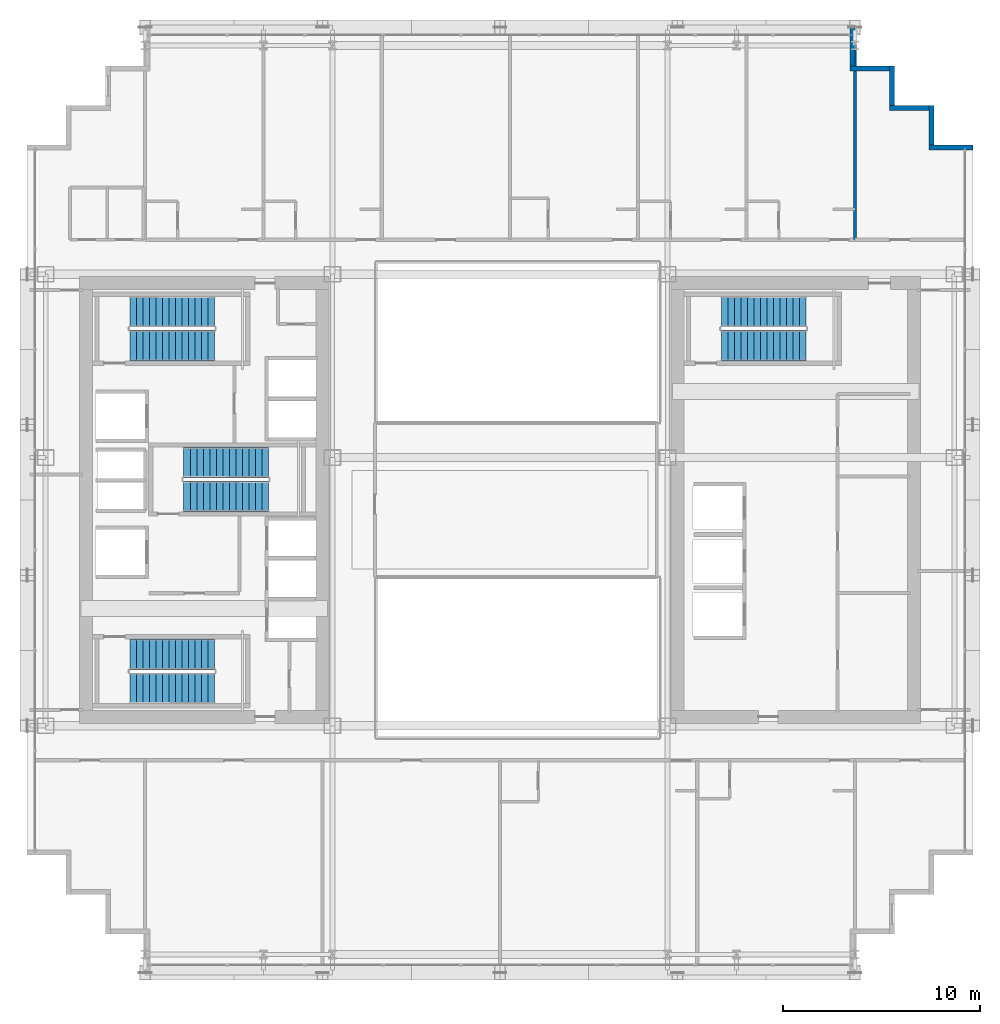
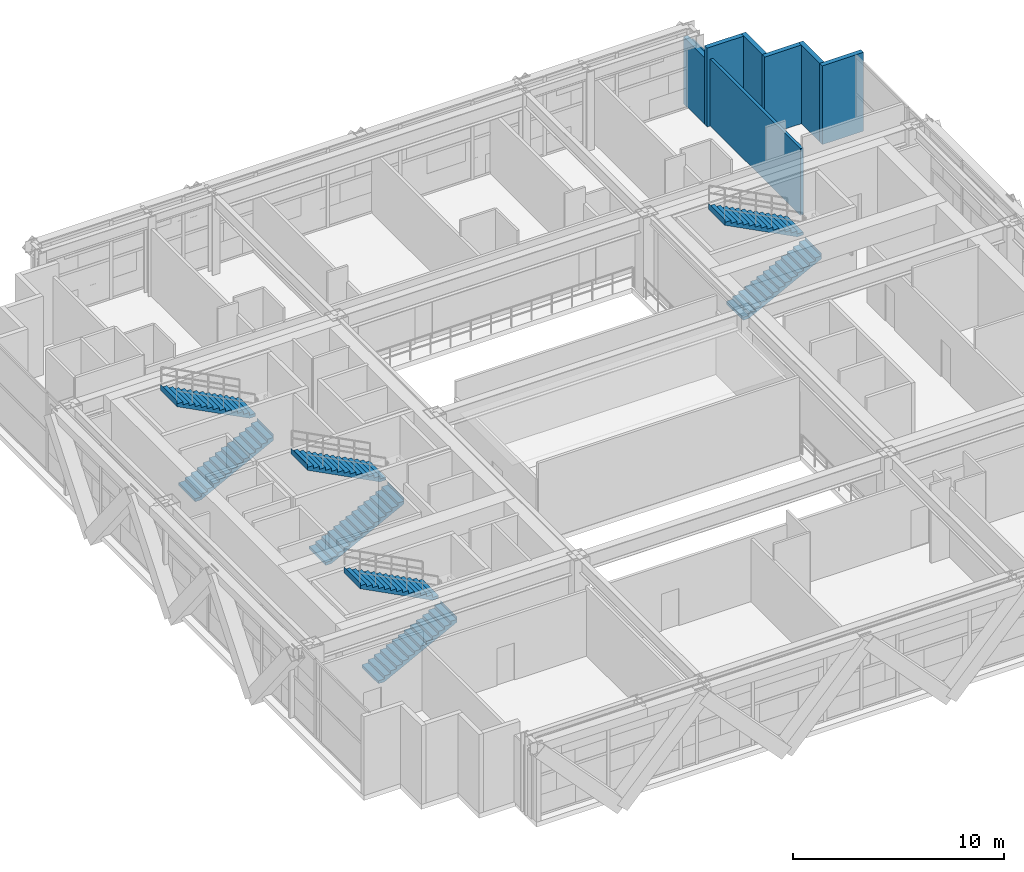
# One storey, part 34 of 38: 8 stair flights, 7 walls, 4 elements without a shape of their own.
"""IFC4 building model written with IfcOpenShell, lengths in metres."""

from ifc_helpers import new_model, si_unit, direction, frame, frame_2d, origin, place, context, subcontext, project, spatial, polyline, rectangle, outline, extrude, source, transform, mapped, material, layer, layer_set, type_object, element, aggregate, save


model = new_model("IFC4")

# Units and contexts
model_context = context("Model", 3, precision=1e-05, world=origin(), true_north=direction((0.0, 1.0)))
body_context = subcontext(model_context, "Body", "Model", "MODEL_VIEW")
ifc_project = project(units=[si_unit("LENGTHUNIT", "METRE"), si_unit("AREAUNIT", "SQUARE_METRE"), si_unit("VOLUMEUNIT", "CUBIC_METRE"), si_unit("PLANEANGLEUNIT", "RADIAN"), si_unit("MASSUNIT", "GRAM", prefix="KILO")], contexts=[model_context])

# Site, building, storey
site_placement = place(None, origin())
site = spatial("IfcSite", under=ifc_project, at=site_placement, CompositionType="ELEMENT")
building_placement = place(site_placement, origin())
building = spatial("IfcBuilding", under=site, at=building_placement, Name="Ocotamira Hotel", CompositionType="ELEMENT")
storey_placement = place(building_placement, frame((0.0, 0.0, 92.39990234375)))
storey = spatial("IfcBuildingStorey", under=building, at=storey_placement, Name="L22", CompositionType="ELEMENT", Elevation=92.39990234375)

# Walls
ifc_material_1 = material(Name="Precast concrete C45/55", Category="concrete")
ifc_layer_1 = layer(ifc_material_1, 0.25)
ifc_layer_set_1 = layer_set([ifc_layer_1], Name="Precast concrete C45/55")
wall_type_1 = type_object("IfcWallType", Name="WL-EXT-SER-250", PredefinedType="SOLIDWALL", material=ifc_layer_set_1)
wall_1_placement = place(storey_placement, frame((56.0, 43.875, 0.0), z_axis=(0.0, 0.0, 1.0), x_axis=(-1.0, 0.0, 0.0)))
element("IfcWall", 1, at=wall_1_placement, inside=storey, type_object=wall_type_1, Name="L22 Serrated Corner Wall 07", PredefinedType="SOLIDWALL", context=body_context, shape_type="SweptSolid", body=[
    extrude(rectangle(XDim=2.25, YDim=0.25, at=frame_2d((1.125, 0.0))), origin(), (0.0, 0.0, 1.0), 4.56005859375),
])
for number, where, z_axis, x_axis, name in (
    (2, (53.875, 44.0, 0.0), (0.0, 0.0, 1.0), (0.0, 1.0, 0.0), "L22 Serrated Corner Wall 08"),
    (3, (53.75, 45.875, 0.0), (0.0, 0.0, 1.0), (-1.0, 0.0, 0.0), "L22 Serrated Corner Wall 09"),
    (4, (51.875, 46.0, 0.0), (0.0, 0.0, 1.0), (0.0, 1.0, 0.0), "L22 Serrated Corner Wall 10"),
    (5, (51.75, 47.875, 0.0), (0.0, 0.0, 1.0), (-1.0, 0.0, 0.0), "L22 Serrated Corner Wall 11"),
):
    element("IfcWall", number, at=place(storey_placement, frame(where, z_axis=z_axis, x_axis=x_axis)), inside=storey, type_object=wall_type_1, Name=name, PredefinedType="SOLIDWALL", context=body_context, shape_type="SweptSolid", body=[
        extrude(rectangle(XDim=2.0, YDim=0.25, at=frame_2d((1.0, 0.0))), origin(), (0.0, 0.0, 1.0), 4.56005859375),
    ])
wall_2_placement = place(storey_placement, frame((49.875, 48.0, 0.0), z_axis=(0.0, 0.0, 1.0), x_axis=(0.0, 1.0, 0.0)))
element("IfcWall", 6, at=wall_2_placement, inside=storey, type_object=wall_type_1, Name="L22 Serrated Corner Wall 12", PredefinedType="SOLIDWALL", context=body_context, shape_type="SweptSolid", body=[
    extrude(rectangle(XDim=2.0, YDim=0.25, at=frame_2d((1.0, 0.0))), origin(), (0.0, 0.0, 1.0), 3.8671875),
])
ifc_material_2 = material(Name="Acoustic double-stud hospitality gypsum partition", Category="gypsum")
ifc_layer_2 = layer(ifc_material_2, 0.159912109375)
ifc_layer_set_2 = layer_set([ifc_layer_2], Name="Acoustic double-stud hospitality gypsum partition")
wall_type_2 = type_object("IfcWallType", Name="WL-PART-160", PredefinedType="PARTITIONING", material=ifc_layer_set_2)
wall_3_placement = place(storey_placement, frame((50.0, 39.199951171875, 0.0), z_axis=(0.0, 0.0, 1.0), x_axis=(0.0, 1.0, 0.0)))
element("IfcWall", 7, at=wall_3_placement, inside=storey, type_object=wall_type_2, Name="L22 Interior Wall PW-L22-L22N-PWEND", PredefinedType="PARTITIONING", context=body_context, shape_type="SweptSolid", body=[
    extrude(rectangle(XDim=10.43994140625, YDim=0.159912109375, at=frame_2d((5.219970703125, 0.0))), origin(), (0.0, 0.0, 1.0), 3.8671875),
])

# Stair, stair flights
ifc_material_3 = material(Name="Concrete C40/50", Category="concrete")
stair_type = type_object("IfcStairType", Name="ST-CORE-1560", PredefinedType="HALF_TURN_STAIR", material=ifc_material_3)
stair_1_placement = place(storey_placement, origin())
stair_1 = element("IfcStair", 8, at=stair_1_placement, inside=storey, type_object=stair_type, Name="L22 Exit Stair ST-1", PredefinedType="HALF_TURN_STAIR")
stair_flight_type = type_object("IfcStairFlightType", Name="STF-CORE-1560", PredefinedType="STRAIGHT", material=ifc_material_3)
shared_shape = source(origin(), body_context, "Body", "SweptSolid", [
    extrude(outline(polyline([(-0.00390625, 0.0), (-0.00390625, 0.17138671875), (0.330078125, 0.17138671875), (0.330078125, 0.3427734375), (0.659912109375, 0.3427734375), (0.659912109375, 0.514404296875), (0.989990234375, 0.514404296875), (0.989990234375, 0.685791015625), (1.320068359375, 0.685791015625), (1.320068359375, 0.857177734375), (1.64990234375, 0.857177734375), (1.64990234375, 1.028564453125), (1.97998046875, 1.028564453125), (1.97998046875, 1.199951171875), (2.31005859375, 1.199951171875), (2.31005859375, 1.371337890625), (2.639892578125, 1.371337890625), (2.639892578125, 1.54296875), (2.969970703125, 1.54296875), (2.969970703125, 1.71435546875), (3.300048828125, 1.71435546875), (3.300048828125, 1.8857421875), (3.6298828125, 1.8857421875), (3.6298828125, 2.05712890625), (3.9599609375, 2.05712890625), (3.9599609375, 2.228515625), (4.2900390625, 2.228515625), (4.2900390625, 2.39990234375), (4.2939453125, 2.39990234375), (4.2939453125, 2.0595703125), (0.3251953125, 0.0), (-0.00390625, 0.0)])), frame((0.0, 0.780029296875, 0.0), z_axis=(0.0, -1.0, 0.0), x_axis=(1.0, 0.0, 0.0)), (0.0, 0.0, 1.0), 1.56005859375),
])
stair_flight_1_placement = place(storey_placement, frame((13.22998046875, 16.449951171875, 0.0), z_axis=(0.0, 0.0, 1.0), x_axis=(1.0, 0.0, 0.0)))
stair_flight_1 = element("IfcStairFlight", 9, at=stair_flight_1_placement, type_object=stair_flight_type, Name="ST-1 flight 1", NumberOfRisers=14, NumberOfTreads=13, PredefinedType="STRAIGHT", RiserHeight=0.171428571, TreadLength=0.33, context=body_context, shape_type="MappedRepresentation", body=[
    mapped(shared_shape, transform((0.0, 0.0, 0.0), scale=1.0)),
])
stair_flight_2_placement = place(storey_placement, frame((17.52001953125, 18.169921875, 2.400146484375), z_axis=(0.0, 0.0, 1.0), x_axis=(-1.0, 0.0, 0.0)))
stair_flight_2 = element("IfcStairFlight", 10, at=stair_flight_2_placement, type_object=stair_flight_type, Name="ST-1 flight 2", NumberOfRisers=14, NumberOfTreads=13, PredefinedType="STRAIGHT", RiserHeight=0.171428571, TreadLength=0.33, context=body_context, shape_type="MappedRepresentation", body=[
    mapped(shared_shape, transform((0.0, 0.0, 0.0), scale=1.0)),
])
aggregate(stair_1, [stair_flight_1, stair_flight_2])

stair_2_placement = place(storey_placement, origin())
stair_2 = element("IfcStair", 11, at=stair_2_placement, inside=storey, type_object=stair_type, Name="L22 Exit Stair ST-2", PredefinedType="HALF_TURN_STAIR")
stair_flight_3_placement = place(storey_placement, frame((13.22998046875, 33.830078125, 0.0), z_axis=(0.0, 0.0, 1.0), x_axis=(1.0, 0.0, 0.0)))
stair_flight_3 = element("IfcStairFlight", 12, at=stair_flight_3_placement, type_object=stair_flight_type, Name="ST-2 flight 1", NumberOfRisers=14, NumberOfTreads=13, PredefinedType="STRAIGHT", RiserHeight=0.171428571, TreadLength=0.33, context=body_context, shape_type="MappedRepresentation", body=[
    mapped(shared_shape, transform((0.0, 0.0, 0.0), scale=1.0)),
])
stair_flight_4_placement = place(storey_placement, frame((17.52001953125, 35.550048828125, 2.400146484375), z_axis=(0.0, 0.0, 1.0), x_axis=(-1.0, 0.0, 0.0)))
stair_flight_4 = element("IfcStairFlight", 13, at=stair_flight_4_placement, type_object=stair_flight_type, Name="ST-2 flight 2", NumberOfRisers=14, NumberOfTreads=13, PredefinedType="STRAIGHT", RiserHeight=0.171428571, TreadLength=0.33, context=body_context, shape_type="MappedRepresentation", body=[
    mapped(shared_shape, transform((0.0, 0.0, 0.0), scale=1.0)),
])
aggregate(stair_2, [stair_flight_3, stair_flight_4])

stair_3_placement = place(storey_placement, origin())
stair_3 = element("IfcStair", 14, at=stair_3_placement, inside=storey, type_object=stair_type, Name="L22 Exit Stair ST-3", PredefinedType="HALF_TURN_STAIR")
stair_flight_5_placement = place(storey_placement, frame((15.9599609375, 26.179931640625, 0.0), z_axis=(0.0, 0.0, 1.0), x_axis=(1.0, 0.0, 0.0)))
stair_flight_5 = element("IfcStairFlight", 15, at=stair_flight_5_placement, type_object=stair_flight_type, Name="ST-3 flight 1", NumberOfRisers=14, NumberOfTreads=13, PredefinedType="STRAIGHT", RiserHeight=0.171428571, TreadLength=0.33, context=body_context, shape_type="MappedRepresentation", body=[
    mapped(shared_shape, transform((0.0, 0.0, 0.0), scale=1.0)),
])
stair_flight_6_placement = place(storey_placement, frame((20.25, 27.89990234375, 2.400146484375), z_axis=(0.0, 0.0, 1.0), x_axis=(-1.0, 0.0, 0.0)))
stair_flight_6 = element("IfcStairFlight", 16, at=stair_flight_6_placement, type_object=stair_flight_type, Name="ST-3 flight 2", NumberOfRisers=14, NumberOfTreads=13, PredefinedType="STRAIGHT", RiserHeight=0.171428571, TreadLength=0.33, context=body_context, shape_type="MappedRepresentation", body=[
    mapped(shared_shape, transform((0.0, 0.0, 0.0), scale=1.0)),
])
aggregate(stair_3, [stair_flight_5, stair_flight_6])

stair_4_placement = place(storey_placement, origin())
stair_4 = element("IfcStair", 17, at=stair_4_placement, inside=storey, type_object=stair_type, Name="L22 Exit Stair ST-4", PredefinedType="HALF_TURN_STAIR")
stair_flight_7_placement = place(storey_placement, frame((43.22998046875, 33.830078125, 0.0), z_axis=(0.0, 0.0, 1.0), x_axis=(1.0, 0.0, 0.0)))
stair_flight_7 = element("IfcStairFlight", 18, at=stair_flight_7_placement, type_object=stair_flight_type, Name="ST-4 flight 1", NumberOfRisers=14, NumberOfTreads=13, PredefinedType="STRAIGHT", RiserHeight=0.171428571, TreadLength=0.33, context=body_context, shape_type="MappedRepresentation", body=[
    mapped(shared_shape, transform((0.0, 0.0, 0.0), scale=1.0)),
])
stair_flight_8_placement = place(storey_placement, frame((47.52001953125, 35.550048828125, 2.400146484375), z_axis=(0.0, 0.0, 1.0), x_axis=(-1.0, 0.0, 0.0)))
stair_flight_8 = element("IfcStairFlight", 19, at=stair_flight_8_placement, type_object=stair_flight_type, Name="ST-4 flight 2", NumberOfRisers=14, NumberOfTreads=13, PredefinedType="STRAIGHT", RiserHeight=0.171428571, TreadLength=0.33, context=body_context, shape_type="MappedRepresentation", body=[
    mapped(shared_shape, transform((0.0, 0.0, 0.0), scale=1.0)),
])
aggregate(stair_4, [stair_flight_7, stair_flight_8])

save(model, "model.ifc")
